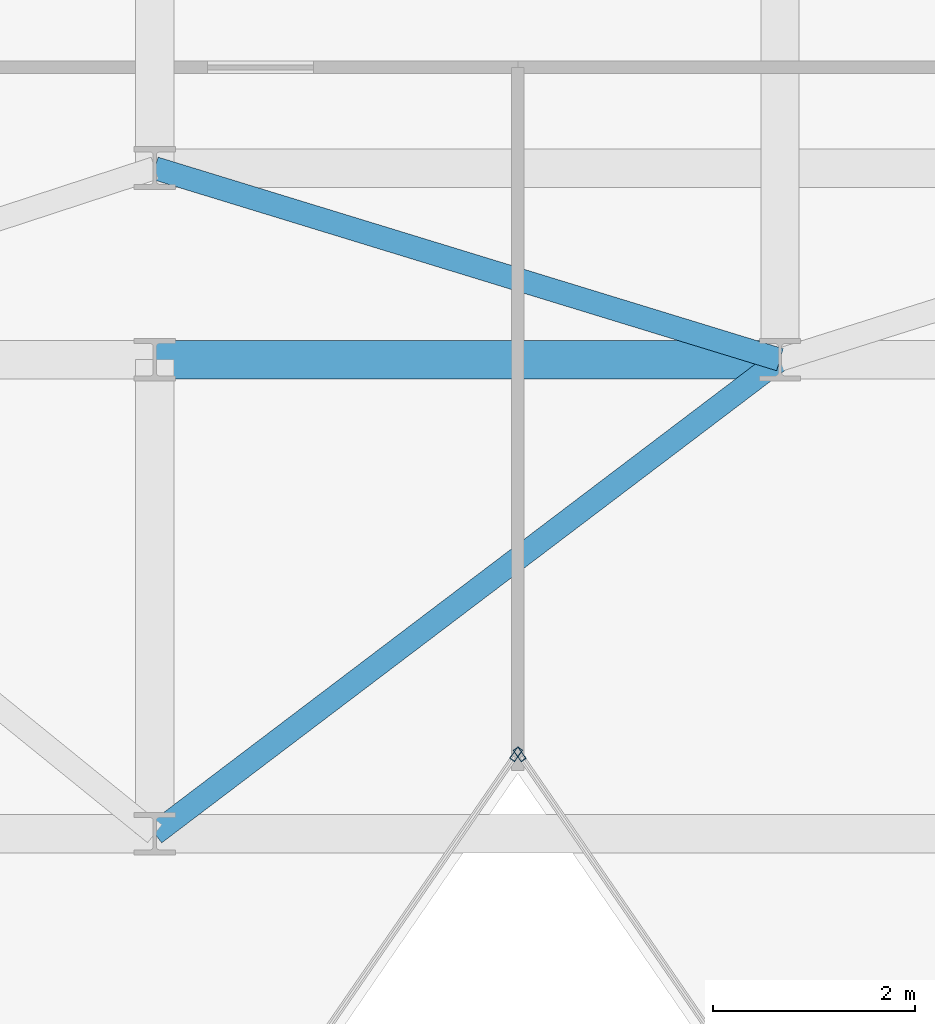
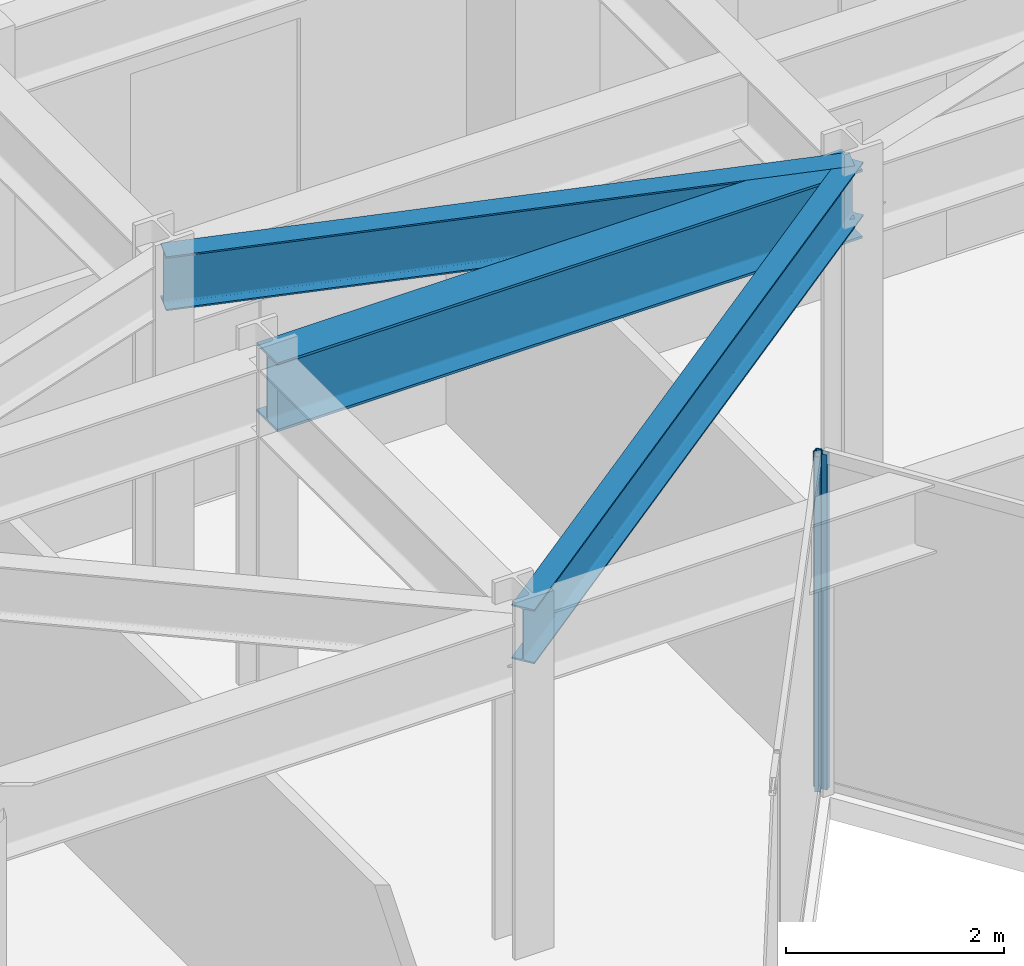
# One storey, part 14 of 27: 3 beams, 2 members, 2 elements without a shape of their own.
"""IFC4 building model written with IfcOpenShell, lengths in metres."""

from ifc_helpers import new_model, si_unit, direction, frame, origin, origin_2d, place, context, subcontext, project, spatial, hollow_rectangle, i_section, extrude, material, layer, layer_set, material_profile, profile_set, type_object, element, aggregate, save


model = new_model("IFC4")

# Units and contexts
model_context = context("Model", 3, precision=1e-05, world=origin(), true_north=direction((0.0, 1.0)))
body_context = subcontext(model_context, "Body", "Model", "MODEL_VIEW")
ifc_project = project(units=[si_unit("LENGTHUNIT", "METRE"), si_unit("AREAUNIT", "SQUARE_METRE"), si_unit("VOLUMEUNIT", "CUBIC_METRE"), si_unit("PLANEANGLEUNIT", "RADIAN"), si_unit("MASSUNIT", "GRAM", prefix="KILO")], contexts=[model_context])

# Site, building, storey
site_placement = place(None, origin())
site = spatial("IfcSite", under=ifc_project, at=site_placement, CompositionType="ELEMENT")
building_placement = place(site_placement, origin())
building = spatial("IfcBuilding", under=site, at=building_placement, Name="Kravanh Interchange Tower", CompositionType="ELEMENT")
storey_placement = place(building_placement, frame((0.0, 0.0, 164.5)))
storey = spatial("IfcBuildingStorey", under=building, at=storey_placement, Name="L39", CompositionType="ELEMENT", Elevation=164.5)

# Curtain wall, member
ifc_material_1 = material(Name="Anodised Bronze Aluminium", Category="aluminium")
ifc_layer = layer(ifc_material_1, 0.179931640625)
ifc_layer_set = layer_set([ifc_layer], Name="Unitised Curtain Wall System CW-Z3 Upper Office")
curtain_wall_type = type_object("IfcCurtainWallType", Name="Unitised Curtain Wall System CW-Z3 Upper Office", PredefinedType="NOTDEFINED", material=ifc_layer_set)
curtain_wall_1_placement = place(storey_placement, origin())
curtain_wall_1 = element("IfcCurtainWall", 1, at=curtain_wall_1_placement, inside=storey, type_object=curtain_wall_type, Name="L39 Unitised Curtain Wall CW-L39-04", PredefinedType="NOTDEFINED")
ifc_material_2 = material(Name="Anodised Bronze Aluminium", Category="aluminium")
ifc_material_profile_1 = material_profile(ifc_material_2, hollow_rectangle(XDim=0.06005859375, YDim=0.139892578125, WallThickness=0.00390625, at=origin_2d()), Name="ALU60X140X4")
ifc_profile_set_1 = profile_set([ifc_material_profile_1], Name="Anodised Bronze Aluminium")
member_type = type_object("IfcMemberType", Name="Curtain Wall Mullion ALU60X140X4 Bronze", PredefinedType="MULLION", material=ifc_profile_set_1)
member_1_placement = place(storey_placement, frame((42.217041015625, 27.587158203125, 0.0), z_axis=(0.0, 0.0, 1.0), x_axis=(-0.824042223035, -0.566528388217, 0.0)))
member_1 = element("IfcMember", 2, at=member_1_placement, type_object=member_type, Name="CW-Z3 mullion 5", PredefinedType="MULLION", context=body_context, shape_type="SweptSolid", body=[
    extrude(hollow_rectangle(XDim=0.06005859375, YDim=0.139892578125, WallThickness=0.00390625, at=origin_2d()), origin(), (0.0, 0.0, 1.0), 3.7548828125),
])
aggregate(curtain_wall_1, [member_1])

curtain_wall_2_placement = place(storey_placement, origin())
curtain_wall_2 = element("IfcCurtainWall", 3, at=curtain_wall_2_placement, inside=storey, type_object=curtain_wall_type, Name="L39 Unitised Curtain Wall CW-L39-05", PredefinedType="NOTDEFINED")
member_2_placement = place(storey_placement, frame((42.18310546875, 27.587158203125, 0.0), z_axis=(0.0, 0.0, 1.0), x_axis=(0.824042223035, -0.566528388217, 0.0)))
member_2 = element("IfcMember", 4, at=member_2_placement, type_object=member_type, Name="CW-Z3 mullion 1", PredefinedType="MULLION", context=body_context, shape_type="SweptSolid", body=[
    extrude(hollow_rectangle(XDim=0.06005859375, YDim=0.139892578125, WallThickness=0.00390625, at=origin_2d()), origin(), (0.0, 0.0, 1.0), 3.7548828125),
])
aggregate(curtain_wall_2, [member_2])

# Beams
ifc_material_3 = material(Name="Structural Steel S355", Category="steel")
ifc_material_profile_2 = material_profile(ifc_material_3, i_section(OverallWidth=0.381103515625, OverallDepth=0.77294921875, WebThickness=0.0166015625, FlangeThickness=0.027099609375, FilletRadius=0.02490234375, at=origin_2d()), Name="W30X173")
ifc_profile_set_2 = profile_set([ifc_material_profile_2], Name="Structural Steel S355")
beam_type_1 = type_object("IfcBeamType", Name="Floor Beam W30X173 Structural Steel S355", PredefinedType="BEAM", material=ifc_profile_set_2)
beam_1_placement = place(storey_placement, frame((38.60009765625, 31.5, 3.368408203125), z_axis=(1.0, 0.0, 0.0), x_axis=(0.0, 1.0, 0.0)))
element("IfcBeam", 5, at=beam_1_placement, inside=storey, type_object=beam_type_1, Name="L39 Primary Floor Girder 72", PredefinedType="BEAM", context=body_context, shape_type="SweptSolid", body=[
    extrude(i_section(OverallWidth=0.381103515625, OverallDepth=0.77294921875, WebThickness=0.0166015625, FlangeThickness=0.027099609375, FilletRadius=0.02490234375, at=origin_2d()), origin(), (0.0, 0.0, 1.0), 6.199951171875),
])
ifc_material_4 = material(Name="Structural Steel S355", Category="steel")
ifc_material_profile_3 = material_profile(ifc_material_4, i_section(OverallWidth=0.22802734375, OverallDepth=0.60791015625, WebThickness=0.01123046875, FlangeThickness=0.017333984375, FilletRadius=0.02197265625, at=origin_2d()), Name="W24X76")
ifc_profile_set_3 = profile_set([ifc_material_profile_3], Name="Structural Steel S355")
beam_type_2 = type_object("IfcBeamType", Name="Floor Spandrel W24X76 Structural Steel S355", PredefinedType="SPANDREL", material=ifc_profile_set_3)
beam_2_placement = place(storey_placement, frame((38.60009765625, 26.800048828125, 3.450927734375), z_axis=(0.796905365509, 0.604104161898, 0.0), x_axis=(-0.604104161898, 0.796905365509, 0.0)))
element("IfcBeam", 6, at=beam_2_placement, inside=storey, type_object=beam_type_2, Name="L39 Perimeter Spandrel 47", PredefinedType="SPANDREL", context=body_context, shape_type="SweptSolid", body=[
    extrude(i_section(OverallWidth=0.22802734375, OverallDepth=0.60791015625, WebThickness=0.01123046875, FlangeThickness=0.017333984375, FilletRadius=0.02197265625, at=origin_2d()), origin(), (0.0, 0.0, 1.0), 7.780029296875),
])
beam_3_placement = place(storey_placement, frame((44.800048828125, 31.5, 3.450927734375), z_axis=(-0.956115397264, 0.292990353279, 0.0), x_axis=(-0.292990353279, -0.956115397264, 0.0)))
element("IfcBeam", 7, at=beam_3_placement, inside=storey, type_object=beam_type_2, Name="L39 Perimeter Spandrel 76", PredefinedType="SPANDREL", context=body_context, shape_type="SweptSolid", body=[
    extrude(i_section(OverallWidth=0.22802734375, OverallDepth=0.60791015625, WebThickness=0.01123046875, FlangeThickness=0.017333984375, FilletRadius=0.02197265625, at=origin_2d()), origin(), (0.0, 0.0, 1.0), 6.484619140625),
])

save(model, "model.ifc")
